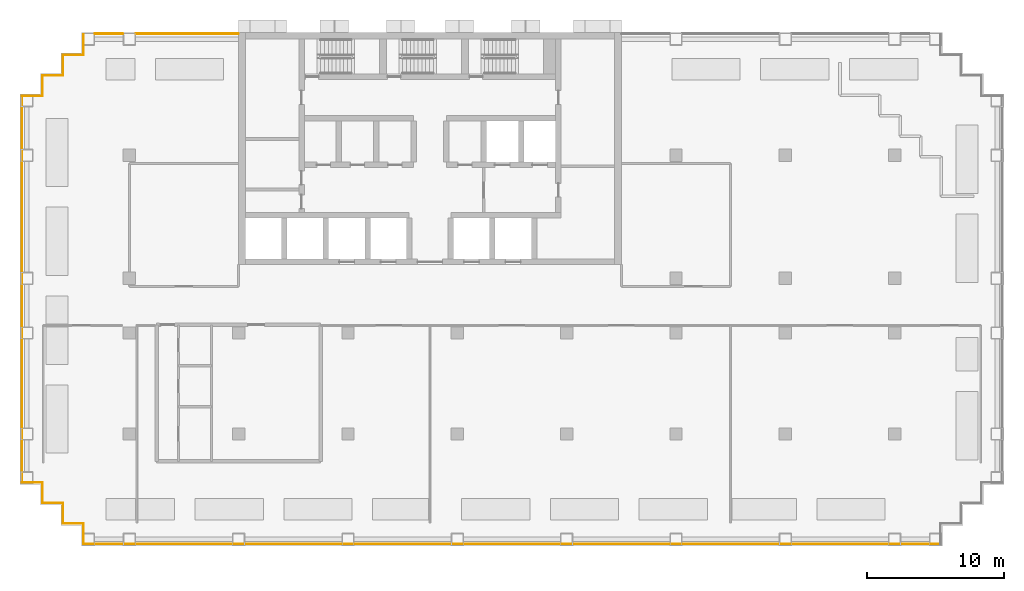
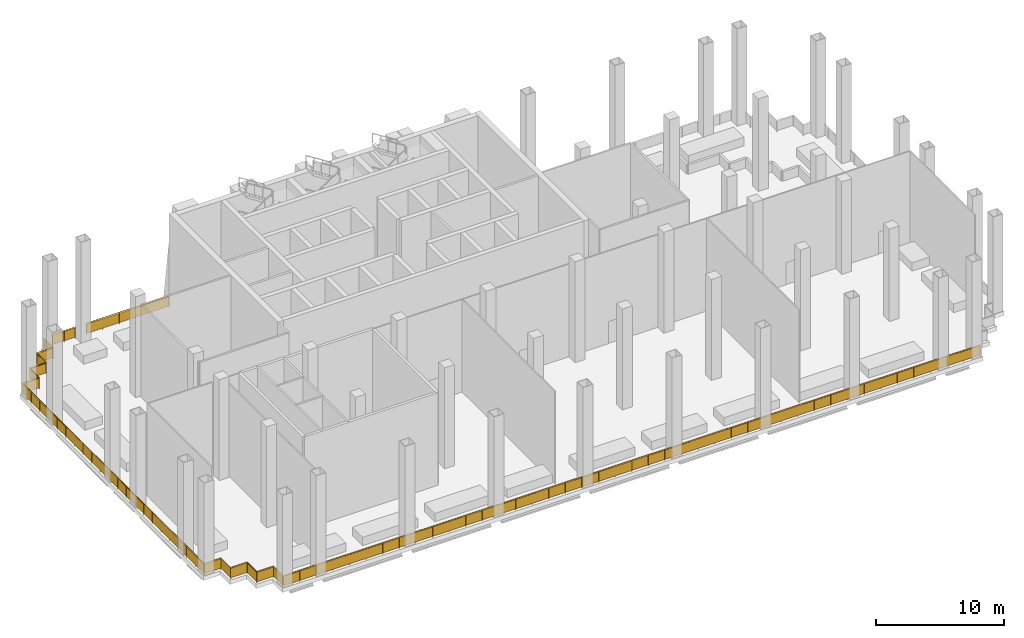
# One storey, part 6 of 9: 23 railings.
"""IFC4 building model written with IfcOpenShell, lengths in metres."""

from ifc_helpers import new_model, si_unit, direction, frame, origin, origin_2d, place, context, subcontext, project, spatial, rectangle, circle, extrude, material, type_object, element, save


model = new_model("IFC4")

# Units and contexts
model_context = context("Model", 3, precision=1e-05, world=origin(), true_north=direction((0.0, 1.0)))
body_context = subcontext(model_context, "Body", "Model", "MODEL_VIEW")
ifc_project = project(units=[si_unit("LENGTHUNIT", "METRE"), si_unit("AREAUNIT", "SQUARE_METRE"), si_unit("VOLUMEUNIT", "CUBIC_METRE"), si_unit("PLANEANGLEUNIT", "RADIAN"), si_unit("MASSUNIT", "GRAM", prefix="KILO")], contexts=[model_context])

# Site, building, storey
site_placement = place(None, origin())
site = spatial("IfcSite", under=ifc_project, at=site_placement, CompositionType="ELEMENT")
building_placement = place(site_placement, origin())
building = spatial("IfcBuilding", under=site, at=building_placement, Name="Vidyagriha Tower", CompositionType="ELEMENT")
storey_placement = place(building_placement, frame((0.0, 0.0, 106.300048828125)))
storey = spatial("IfcBuildingStorey", under=building, at=storey_placement, Name="L28", CompositionType="ELEMENT", Elevation=106.300048828125)

# Railings
ifc_material_1 = material(Name="Steel ASTM A500 Grade C black painted", Category="steel")
railing_type_1 = type_object("IfcRailingType", Name="Gallery guard 1100", PredefinedType="GUARDRAIL", material=ifc_material_1)
railing_1_placement = place(storey_placement, frame((-24.52001953125, 19.89990234375, 0.0)))
element("IfcRailing", 1, at=railing_1_placement, inside=storey, type_object=railing_type_1, Name="Gallery guard L28 1", PredefinedType="GUARDRAIL", context=body_context, shape_type="SweptSolid", body=[
    extrude(circle(Radius=0.02490234375, at=origin_2d()), frame((0.0, 0.0, 1.0751953125), z_axis=(1.0, 0.0, 0.0), x_axis=(0.0, 1.0, 0.0)), (0.0, 0.0, 1.0), 2.0400390625),
    extrude(circle(Radius=0.02001953125, at=origin_2d()), origin(), (0.0, 0.0, 1.0), 1.050048828125),
    extrude(circle(Radius=0.02001953125, at=origin_2d()), frame((1.02001953125, 0.0, 0.0)), (0.0, 0.0, 1.0), 1.050048828125),
    extrude(circle(Radius=0.02001953125, at=origin_2d()), frame((2.0400390625, 0.0, 0.0)), (0.0, 0.0, 1.0), 1.050048828125),
    extrude(rectangle(XDim=0.010009765625, YDim=0.900146484375, at=origin_2d()), frame((0.0, 0.0, 0.550048828125), z_axis=(1.0, 0.0, 0.0), x_axis=(0.0, 1.0, 0.0)), (0.0, 0.0, 1.0), 2.0400390625),
])
railing_2_placement = place(storey_placement, frame((-21.52001953125, 19.89990234375, 0.0)))
element("IfcRailing", 2, at=railing_2_placement, inside=storey, type_object=railing_type_1, Name="Gallery guard L28 2", PredefinedType="GUARDRAIL", context=body_context, shape_type="SweptSolid", body=[
    extrude(circle(Radius=0.02490234375, at=origin_2d()), frame((0.0, 0.0, 1.0751953125), z_axis=(1.0, 0.0, 0.0), x_axis=(0.0, 1.0, 0.0)), (0.0, 0.0, 1.0), 7.489990234375),
    extrude(circle(Radius=0.02001953125, at=origin_2d()), origin(), (0.0, 0.0, 1.0), 1.050048828125),
    extrude(circle(Radius=0.02001953125, at=origin_2d()), frame((1.498046875, 0.0, 0.0)), (0.0, 0.0, 1.0), 1.050048828125),
    extrude(circle(Radius=0.02001953125, at=origin_2d()), frame((2.99609375, 0.0, 0.0)), (0.0, 0.0, 1.0), 1.050048828125),
    extrude(circle(Radius=0.02001953125, at=origin_2d()), frame((4.493896484375, 0.0, 0.0)), (0.0, 0.0, 1.0), 1.050048828125),
    extrude(circle(Radius=0.02001953125, at=origin_2d()), frame((5.991943359375, 0.0, 0.0)), (0.0, 0.0, 1.0), 1.050048828125),
    extrude(circle(Radius=0.02001953125, at=origin_2d()), frame((7.489990234375, 0.0, 0.0)), (0.0, 0.0, 1.0), 1.050048828125),
    extrude(rectangle(XDim=0.010009765625, YDim=0.900146484375, at=origin_2d()), frame((0.0, 0.0, 0.550048828125), z_axis=(1.0, 0.0, 0.0), x_axis=(0.0, 1.0, 0.0)), (0.0, 0.0, 1.0), 7.489990234375),
])
ifc_material_2 = material(Name="Steel ASTM A500 Grade C black painted", Category="steel")
railing_type_2 = type_object("IfcRailingType", Name="Wind floor guard 1100", PredefinedType="GUARDRAIL", material=ifc_material_2)
railing_3_placement = place(storey_placement, frame((37.35009765625, -17.449951171875, 0.0)))
element("IfcRailing", 3, at=railing_3_placement, inside=storey, type_object=railing_type_2, Name="Wind floor guard L28 16", PredefinedType="GUARDRAIL", context=body_context, shape_type="SweptSolid", body=[
    extrude(circle(Radius=0.02490234375, at=origin_2d()), frame((0.0, 0.0, 1.0751953125), z_axis=(-1.0, 0.0, 0.0), x_axis=(0.0, -1.0, 0.0)), (0.0, 0.0, 1.0), 10.4501953125),
    extrude(circle(Radius=0.02001953125, at=origin_2d()), origin(), (0.0, 0.0, 1.0), 1.050048828125),
    extrude(circle(Radius=0.02001953125, at=origin_2d()), frame((-1.492919921875, 0.0, 0.0)), (0.0, 0.0, 1.0), 1.050048828125),
    extrude(circle(Radius=0.02001953125, at=origin_2d()), frame((-2.98583984375, 0.0, 0.0)), (0.0, 0.0, 1.0), 1.050048828125),
    extrude(circle(Radius=0.02001953125, at=origin_2d()), frame((-4.478759765625, 0.0, 0.0)), (0.0, 0.0, 1.0), 1.050048828125),
    extrude(circle(Radius=0.02001953125, at=origin_2d()), frame((-5.971435546875, 0.0, 0.0)), (0.0, 0.0, 1.0), 1.050048828125),
    extrude(circle(Radius=0.02001953125, at=origin_2d()), frame((-7.46435546875, 0.0, 0.0)), (0.0, 0.0, 1.0), 1.050048828125),
    extrude(circle(Radius=0.02001953125, at=origin_2d()), frame((-8.957275390625, 0.0, 0.0)), (0.0, 0.0, 1.0), 1.050048828125),
    extrude(circle(Radius=0.02001953125, at=origin_2d()), frame((-10.4501953125, 0.0, 0.0)), (0.0, 0.0, 1.0), 1.050048828125),
    extrude(rectangle(XDim=0.010009765625, YDim=0.900146484375, at=origin_2d()), frame((0.0, 0.0, 0.550048828125), z_axis=(-1.0, 0.0, 0.0), x_axis=(0.0, -1.0, 0.0)), (0.0, 0.0, 1.0), 10.4501953125),
])
for number, where, name in (
    (4, (26.89990234375, -17.449951171875, 0.0), "Wind floor guard L28 17"),
    (5, (16.449951171875, -17.449951171875, 0.0), "Wind floor guard L28 18"),
    (6, (6.0, -17.449951171875, 0.0), "Wind floor guard L28 19"),
    (7, (-4.449951171875, -17.449951171875, 0.0), "Wind floor guard L28 20"),
):
    element("IfcRailing", number, at=place(storey_placement, frame(where)), inside=storey, type_object=railing_type_2, Name=name, PredefinedType="GUARDRAIL", context=body_context, shape_type="SweptSolid", body=[
        extrude(circle(Radius=0.02490234375, at=origin_2d()), frame((0.0, 0.0, 1.0751953125), z_axis=(-1.0, 0.0, 0.0), x_axis=(0.0, -1.0, 0.0)), (0.0, 0.0, 1.0), 10.449951171875),
        extrude(circle(Radius=0.02001953125, at=origin_2d()), origin(), (0.0, 0.0, 1.0), 1.050048828125),
        extrude(circle(Radius=0.02001953125, at=origin_2d()), frame((-1.492919921875, 0.0, 0.0)), (0.0, 0.0, 1.0), 1.050048828125),
        extrude(circle(Radius=0.02001953125, at=origin_2d()), frame((-2.985595703125, 0.0, 0.0)), (0.0, 0.0, 1.0), 1.050048828125),
        extrude(circle(Radius=0.02001953125, at=origin_2d()), frame((-4.478515625, 0.0, 0.0)), (0.0, 0.0, 1.0), 1.050048828125),
        extrude(circle(Radius=0.02001953125, at=origin_2d()), frame((-5.971435546875, 0.0, 0.0)), (0.0, 0.0, 1.0), 1.050048828125),
        extrude(circle(Radius=0.02001953125, at=origin_2d()), frame((-7.46435546875, 0.0, 0.0)), (0.0, 0.0, 1.0), 1.050048828125),
        extrude(circle(Radius=0.02001953125, at=origin_2d()), frame((-8.95703125, 0.0, 0.0)), (0.0, 0.0, 1.0), 1.050048828125),
        extrude(circle(Radius=0.02001953125, at=origin_2d()), frame((-10.449951171875, 0.0, 0.0)), (0.0, 0.0, 1.0), 1.050048828125),
        extrude(rectangle(XDim=0.010009765625, YDim=0.900146484375, at=origin_2d()), frame((0.0, 0.0, 0.550048828125), z_axis=(-1.0, 0.0, 0.0), x_axis=(0.0, -1.0, 0.0)), (0.0, 0.0, 1.0), 10.449951171875),
    ])
railing_4_placement = place(storey_placement, frame((-14.89990234375, -17.449951171875, 0.0)))
element("IfcRailing", 8, at=railing_4_placement, inside=storey, type_object=railing_type_2, Name="Wind floor guard L28 21", PredefinedType="GUARDRAIL", context=body_context, shape_type="SweptSolid", body=[
    extrude(circle(Radius=0.02490234375, at=origin_2d()), frame((0.0, 0.0, 1.0751953125), z_axis=(-1.0, 0.0, 0.0), x_axis=(0.0, -1.0, 0.0)), (0.0, 0.0, 1.0), 10.4501953125),
    extrude(circle(Radius=0.02001953125, at=origin_2d()), origin(), (0.0, 0.0, 1.0), 1.050048828125),
    extrude(circle(Radius=0.02001953125, at=origin_2d()), frame((-1.492919921875, 0.0, 0.0)), (0.0, 0.0, 1.0), 1.050048828125),
    extrude(circle(Radius=0.02001953125, at=origin_2d()), frame((-2.98583984375, 0.0, 0.0)), (0.0, 0.0, 1.0), 1.050048828125),
    extrude(circle(Radius=0.02001953125, at=origin_2d()), frame((-4.478759765625, 0.0, 0.0)), (0.0, 0.0, 1.0), 1.050048828125),
    extrude(circle(Radius=0.02001953125, at=origin_2d()), frame((-5.971435546875, 0.0, 0.0)), (0.0, 0.0, 1.0), 1.050048828125),
    extrude(circle(Radius=0.02001953125, at=origin_2d()), frame((-7.46435546875, 0.0, 0.0)), (0.0, 0.0, 1.0), 1.050048828125),
    extrude(circle(Radius=0.02001953125, at=origin_2d()), frame((-8.957275390625, 0.0, 0.0)), (0.0, 0.0, 1.0), 1.050048828125),
    extrude(circle(Radius=0.02001953125, at=origin_2d()), frame((-10.4501953125, 0.0, 0.0)), (0.0, 0.0, 1.0), 1.050048828125),
    extrude(rectangle(XDim=0.010009765625, YDim=0.900146484375, at=origin_2d()), frame((0.0, 0.0, 0.550048828125), z_axis=(-1.0, 0.0, 0.0), x_axis=(0.0, -1.0, 0.0)), (0.0, 0.0, 1.0), 10.4501953125),
])
railing_5_placement = place(storey_placement, frame((-25.35009765625, -17.449951171875, 0.0)))
element("IfcRailing", 9, at=railing_5_placement, inside=storey, type_object=railing_type_2, Name="Wind floor guard L28 22", PredefinedType="GUARDRAIL", context=body_context, shape_type="SweptSolid", body=[
    extrude(circle(Radius=0.02490234375, at=origin_2d()), frame((0.0, 0.0, 1.0751953125), z_axis=(0.0, 1.0, 0.0), x_axis=(-1.0, 0.0, 0.0)), (0.0, 0.0, 1.0), 1.5),
    extrude(circle(Radius=0.02001953125, at=origin_2d()), origin(), (0.0, 0.0, 1.0), 1.050048828125),
    extrude(circle(Radius=0.02001953125, at=origin_2d()), frame((0.0, 1.5, 0.0)), (0.0, 0.0, 1.0), 1.050048828125),
    extrude(rectangle(XDim=0.010009765625, YDim=0.900146484375, at=origin_2d()), frame((0.0, 0.0, 0.550048828125), z_axis=(0.0, 1.0, 0.0), x_axis=(-1.0, 0.0, 0.0)), (0.0, 0.0, 1.0), 1.5),
])
railing_6_placement = place(storey_placement, frame((-25.35009765625, -15.949951171875, 0.0)))
element("IfcRailing", 10, at=railing_6_placement, inside=storey, type_object=railing_type_2, Name="Wind floor guard L28 23", PredefinedType="GUARDRAIL", context=body_context, shape_type="SweptSolid", body=[
    extrude(circle(Radius=0.02490234375, at=origin_2d()), frame((0.0, 0.0, 1.0751953125), z_axis=(-1.0, 0.0, 0.0), x_axis=(0.0, -1.0, 0.0)), (0.0, 0.0, 1.0), 1.5),
    extrude(circle(Radius=0.02001953125, at=origin_2d()), origin(), (0.0, 0.0, 1.0), 1.050048828125),
    extrude(circle(Radius=0.02001953125, at=origin_2d()), frame((-1.5, 0.0, 0.0)), (0.0, 0.0, 1.0), 1.050048828125),
    extrude(rectangle(XDim=0.010009765625, YDim=0.900146484375, at=origin_2d()), frame((0.0, 0.0, 0.550048828125), z_axis=(-1.0, 0.0, 0.0), x_axis=(0.0, -1.0, 0.0)), (0.0, 0.0, 1.0), 1.5),
])
railing_7_placement = place(storey_placement, frame((-26.85009765625, -15.949951171875, 0.0)))
element("IfcRailing", 11, at=railing_7_placement, inside=storey, type_object=railing_type_2, Name="Wind floor guard L28 24", PredefinedType="GUARDRAIL", context=body_context, shape_type="SweptSolid", body=[
    extrude(circle(Radius=0.02490234375, at=origin_2d()), frame((0.0, 0.0, 1.0751953125), z_axis=(0.0, 1.0, 0.0), x_axis=(-1.0, 0.0, 0.0)), (0.0, 0.0, 1.0), 1.5),
    extrude(circle(Radius=0.02001953125, at=origin_2d()), origin(), (0.0, 0.0, 1.0), 1.050048828125),
    extrude(circle(Radius=0.02001953125, at=origin_2d()), frame((0.0, 1.5, 0.0)), (0.0, 0.0, 1.0), 1.050048828125),
    extrude(rectangle(XDim=0.010009765625, YDim=0.900146484375, at=origin_2d()), frame((0.0, 0.0, 0.550048828125), z_axis=(0.0, 1.0, 0.0), x_axis=(-1.0, 0.0, 0.0)), (0.0, 0.0, 1.0), 1.5),
])
railing_8_placement = place(storey_placement, frame((-26.85009765625, -14.449951171875, 0.0)))
element("IfcRailing", 12, at=railing_8_placement, inside=storey, type_object=railing_type_2, Name="Wind floor guard L28 25", PredefinedType="GUARDRAIL", context=body_context, shape_type="SweptSolid", body=[
    extrude(circle(Radius=0.02490234375, at=origin_2d()), frame((0.0, 0.0, 1.0751953125), z_axis=(-1.0, 0.0, 0.0), x_axis=(0.0, -1.0, 0.0)), (0.0, 0.0, 1.0), 1.5),
    extrude(circle(Radius=0.02001953125, at=origin_2d()), origin(), (0.0, 0.0, 1.0), 1.050048828125),
    extrude(circle(Radius=0.02001953125, at=origin_2d()), frame((-1.5, 0.0, 0.0)), (0.0, 0.0, 1.0), 1.050048828125),
    extrude(rectangle(XDim=0.010009765625, YDim=0.900146484375, at=origin_2d()), frame((0.0, 0.0, 0.550048828125), z_axis=(-1.0, 0.0, 0.0), x_axis=(0.0, -1.0, 0.0)), (0.0, 0.0, 1.0), 1.5),
])
railing_9_placement = place(storey_placement, frame((-28.35009765625, -14.449951171875, 0.0)))
element("IfcRailing", 13, at=railing_9_placement, inside=storey, type_object=railing_type_2, Name="Wind floor guard L28 26", PredefinedType="GUARDRAIL", context=body_context, shape_type="SweptSolid", body=[
    extrude(circle(Radius=0.02490234375, at=origin_2d()), frame((0.0, 0.0, 1.0751953125), z_axis=(0.0, 1.0, 0.0), x_axis=(-1.0, 0.0, 0.0)), (0.0, 0.0, 1.0), 1.5),
    extrude(circle(Radius=0.02001953125, at=origin_2d()), origin(), (0.0, 0.0, 1.0), 1.050048828125),
    extrude(circle(Radius=0.02001953125, at=origin_2d()), frame((0.0, 1.5, 0.0)), (0.0, 0.0, 1.0), 1.050048828125),
    extrude(rectangle(XDim=0.010009765625, YDim=0.900146484375, at=origin_2d()), frame((0.0, 0.0, 0.550048828125), z_axis=(0.0, 1.0, 0.0), x_axis=(-1.0, 0.0, 0.0)), (0.0, 0.0, 1.0), 1.5),
])
railing_10_placement = place(storey_placement, frame((-28.35009765625, -12.949951171875, 0.0)))
element("IfcRailing", 14, at=railing_10_placement, inside=storey, type_object=railing_type_2, Name="Wind floor guard L28 27", PredefinedType="GUARDRAIL", context=body_context, shape_type="SweptSolid", body=[
    extrude(circle(Radius=0.02490234375, at=origin_2d()), frame((0.0, 0.0, 1.0751953125), z_axis=(-1.0, 0.0, 0.0), x_axis=(0.0, -1.0, 0.0)), (0.0, 0.0, 1.0), 1.5),
    extrude(circle(Radius=0.02001953125, at=origin_2d()), origin(), (0.0, 0.0, 1.0), 1.050048828125),
    extrude(circle(Radius=0.02001953125, at=origin_2d()), frame((-1.5, 0.0, 0.0)), (0.0, 0.0, 1.0), 1.050048828125),
    extrude(rectangle(XDim=0.010009765625, YDim=0.900146484375, at=origin_2d()), frame((0.0, 0.0, 0.550048828125), z_axis=(-1.0, 0.0, 0.0), x_axis=(0.0, -1.0, 0.0)), (0.0, 0.0, 1.0), 1.5),
])
for number, where, name in (
    (15, (-29.85009765625, -12.949951171875, 0.0), "Wind floor guard L28 28"),
    (16, (-29.85009765625, -3.5166015625, 0.0), "Wind floor guard L28 29"),
    (17, (-29.85009765625, 5.916748046875, 0.0), "Wind floor guard L28 30"),
):
    element("IfcRailing", number, at=place(storey_placement, frame(where)), inside=storey, type_object=railing_type_2, Name=name, PredefinedType="GUARDRAIL", context=body_context, shape_type="SweptSolid", body=[
        extrude(circle(Radius=0.02490234375, at=origin_2d()), frame((0.0, 0.0, 1.0751953125), z_axis=(0.0, 1.0, 0.0), x_axis=(-1.0, 0.0, 0.0)), (0.0, 0.0, 1.0), 9.433349609375),
        extrude(circle(Radius=0.02001953125, at=origin_2d()), origin(), (0.0, 0.0, 1.0), 1.050048828125),
        extrude(circle(Radius=0.02001953125, at=origin_2d()), frame((0.0, 1.34765625, 0.0)), (0.0, 0.0, 1.0), 1.050048828125),
        extrude(circle(Radius=0.02001953125, at=origin_2d()), frame((0.0, 2.6953125, 0.0)), (0.0, 0.0, 1.0), 1.050048828125),
        extrude(circle(Radius=0.02001953125, at=origin_2d()), frame((0.0, 4.04296875, 0.0)), (0.0, 0.0, 1.0), 1.050048828125),
        extrude(circle(Radius=0.02001953125, at=origin_2d()), frame((0.0, 5.390380859375, 0.0)), (0.0, 0.0, 1.0), 1.050048828125),
        extrude(circle(Radius=0.02001953125, at=origin_2d()), frame((0.0, 6.738037109375, 0.0)), (0.0, 0.0, 1.0), 1.050048828125),
        extrude(circle(Radius=0.02001953125, at=origin_2d()), frame((0.0, 8.085693359375, 0.0)), (0.0, 0.0, 1.0), 1.050048828125),
        extrude(circle(Radius=0.02001953125, at=origin_2d()), frame((0.0, 9.433349609375, 0.0)), (0.0, 0.0, 1.0), 1.050048828125),
        extrude(rectangle(XDim=0.010009765625, YDim=0.900146484375, at=origin_2d()), frame((0.0, 0.0, 0.550048828125), z_axis=(0.0, 1.0, 0.0), x_axis=(-1.0, 0.0, 0.0)), (0.0, 0.0, 1.0), 9.433349609375),
    ])
railing_11_placement = place(storey_placement, frame((-29.85009765625, 15.35009765625, 0.0)))
element("IfcRailing", 18, at=railing_11_placement, inside=storey, type_object=railing_type_2, Name="Wind floor guard L28 31", PredefinedType="GUARDRAIL", context=body_context, shape_type="SweptSolid", body=[
    extrude(circle(Radius=0.02490234375, at=origin_2d()), frame((0.0, 0.0, 1.0751953125), z_axis=(1.0, 0.0, 0.0), x_axis=(0.0, 1.0, 0.0)), (0.0, 0.0, 1.0), 1.5),
    extrude(circle(Radius=0.02001953125, at=origin_2d()), origin(), (0.0, 0.0, 1.0), 1.050048828125),
    extrude(circle(Radius=0.02001953125, at=origin_2d()), frame((1.5, 0.0, 0.0)), (0.0, 0.0, 1.0), 1.050048828125),
    extrude(rectangle(XDim=0.010009765625, YDim=0.900146484375, at=origin_2d()), frame((0.0, 0.0, 0.550048828125), z_axis=(1.0, 0.0, 0.0), x_axis=(0.0, 1.0, 0.0)), (0.0, 0.0, 1.0), 1.5),
])
railing_12_placement = place(storey_placement, frame((-28.35009765625, 15.35009765625, 0.0)))
element("IfcRailing", 19, at=railing_12_placement, inside=storey, type_object=railing_type_2, Name="Wind floor guard L28 32", PredefinedType="GUARDRAIL", context=body_context, shape_type="SweptSolid", body=[
    extrude(circle(Radius=0.02490234375, at=origin_2d()), frame((0.0, 0.0, 1.0751953125), z_axis=(0.0, 1.0, 0.0), x_axis=(-1.0, 0.0, 0.0)), (0.0, 0.0, 1.0), 1.5),
    extrude(circle(Radius=0.02001953125, at=origin_2d()), origin(), (0.0, 0.0, 1.0), 1.050048828125),
    extrude(circle(Radius=0.02001953125, at=origin_2d()), frame((0.0, 1.5, 0.0)), (0.0, 0.0, 1.0), 1.050048828125),
    extrude(rectangle(XDim=0.010009765625, YDim=0.900146484375, at=origin_2d()), frame((0.0, 0.0, 0.550048828125), z_axis=(0.0, 1.0, 0.0), x_axis=(-1.0, 0.0, 0.0)), (0.0, 0.0, 1.0), 1.5),
])
railing_13_placement = place(storey_placement, frame((-28.35009765625, 16.85009765625, 0.0)))
element("IfcRailing", 20, at=railing_13_placement, inside=storey, type_object=railing_type_2, Name="Wind floor guard L28 33", PredefinedType="GUARDRAIL", context=body_context, shape_type="SweptSolid", body=[
    extrude(circle(Radius=0.02490234375, at=origin_2d()), frame((0.0, 0.0, 1.0751953125), z_axis=(1.0, 0.0, 0.0), x_axis=(0.0, 1.0, 0.0)), (0.0, 0.0, 1.0), 1.5),
    extrude(circle(Radius=0.02001953125, at=origin_2d()), origin(), (0.0, 0.0, 1.0), 1.050048828125),
    extrude(circle(Radius=0.02001953125, at=origin_2d()), frame((1.5, 0.0, 0.0)), (0.0, 0.0, 1.0), 1.050048828125),
    extrude(rectangle(XDim=0.010009765625, YDim=0.900146484375, at=origin_2d()), frame((0.0, 0.0, 0.550048828125), z_axis=(1.0, 0.0, 0.0), x_axis=(0.0, 1.0, 0.0)), (0.0, 0.0, 1.0), 1.5),
])
railing_14_placement = place(storey_placement, frame((-26.85009765625, 16.85009765625, 0.0)))
element("IfcRailing", 21, at=railing_14_placement, inside=storey, type_object=railing_type_2, Name="Wind floor guard L28 34", PredefinedType="GUARDRAIL", context=body_context, shape_type="SweptSolid", body=[
    extrude(circle(Radius=0.02490234375, at=origin_2d()), frame((0.0, 0.0, 1.0751953125), z_axis=(0.0, 1.0, 0.0), x_axis=(-1.0, 0.0, 0.0)), (0.0, 0.0, 1.0), 1.5),
    extrude(circle(Radius=0.02001953125, at=origin_2d()), origin(), (0.0, 0.0, 1.0), 1.050048828125),
    extrude(circle(Radius=0.02001953125, at=origin_2d()), frame((0.0, 1.5, 0.0)), (0.0, 0.0, 1.0), 1.050048828125),
    extrude(rectangle(XDim=0.010009765625, YDim=0.900146484375, at=origin_2d()), frame((0.0, 0.0, 0.550048828125), z_axis=(0.0, 1.0, 0.0), x_axis=(-1.0, 0.0, 0.0)), (0.0, 0.0, 1.0), 1.5),
])
railing_15_placement = place(storey_placement, frame((-26.85009765625, 18.35009765625, 0.0)))
element("IfcRailing", 22, at=railing_15_placement, inside=storey, type_object=railing_type_2, Name="Wind floor guard L28 35", PredefinedType="GUARDRAIL", context=body_context, shape_type="SweptSolid", body=[
    extrude(circle(Radius=0.02490234375, at=origin_2d()), frame((0.0, 0.0, 1.0751953125), z_axis=(1.0, 0.0, 0.0), x_axis=(0.0, 1.0, 0.0)), (0.0, 0.0, 1.0), 1.5),
    extrude(circle(Radius=0.02001953125, at=origin_2d()), origin(), (0.0, 0.0, 1.0), 1.050048828125),
    extrude(circle(Radius=0.02001953125, at=origin_2d()), frame((1.5, 0.0, 0.0)), (0.0, 0.0, 1.0), 1.050048828125),
    extrude(rectangle(XDim=0.010009765625, YDim=0.900146484375, at=origin_2d()), frame((0.0, 0.0, 0.550048828125), z_axis=(1.0, 0.0, 0.0), x_axis=(0.0, 1.0, 0.0)), (0.0, 0.0, 1.0), 1.5),
])
railing_16_placement = place(storey_placement, frame((-25.35009765625, 18.35009765625, 0.0)))
element("IfcRailing", 23, at=railing_16_placement, inside=storey, type_object=railing_type_2, Name="Wind floor guard L28 36", PredefinedType="GUARDRAIL", context=body_context, shape_type="SweptSolid", body=[
    extrude(circle(Radius=0.02490234375, at=origin_2d()), frame((0.0, 0.0, 1.0751953125), z_axis=(0.0, 1.0, 0.0), x_axis=(-1.0, 0.0, 0.0)), (0.0, 0.0, 1.0), 1.5),
    extrude(circle(Radius=0.02001953125, at=origin_2d()), origin(), (0.0, 0.0, 1.0), 1.050048828125),
    extrude(circle(Radius=0.02001953125, at=origin_2d()), frame((0.0, 1.5, 0.0)), (0.0, 0.0, 1.0), 1.050048828125),
    extrude(rectangle(XDim=0.010009765625, YDim=0.900146484375, at=origin_2d()), frame((0.0, 0.0, 0.550048828125), z_axis=(0.0, 1.0, 0.0), x_axis=(-1.0, 0.0, 0.0)), (0.0, 0.0, 1.0), 1.5),
])

save(model, "model.ifc")
